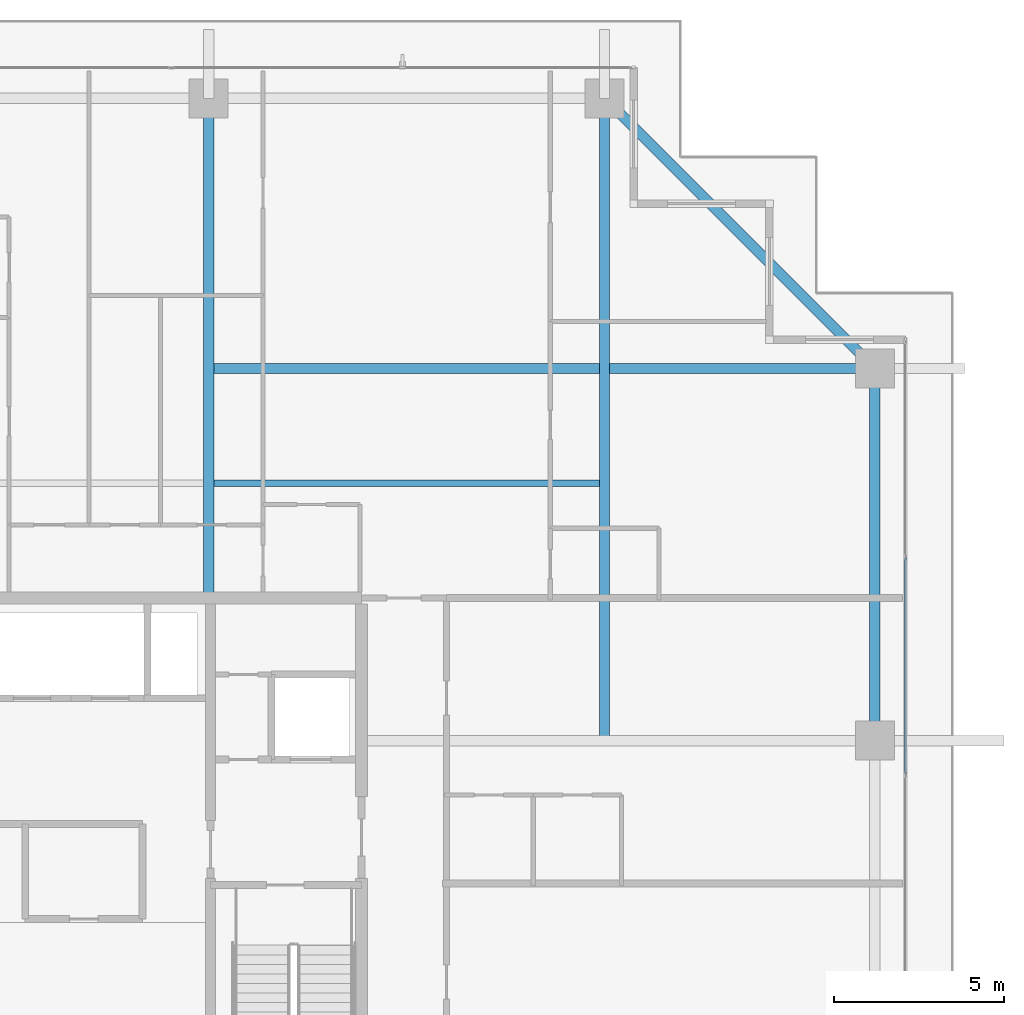
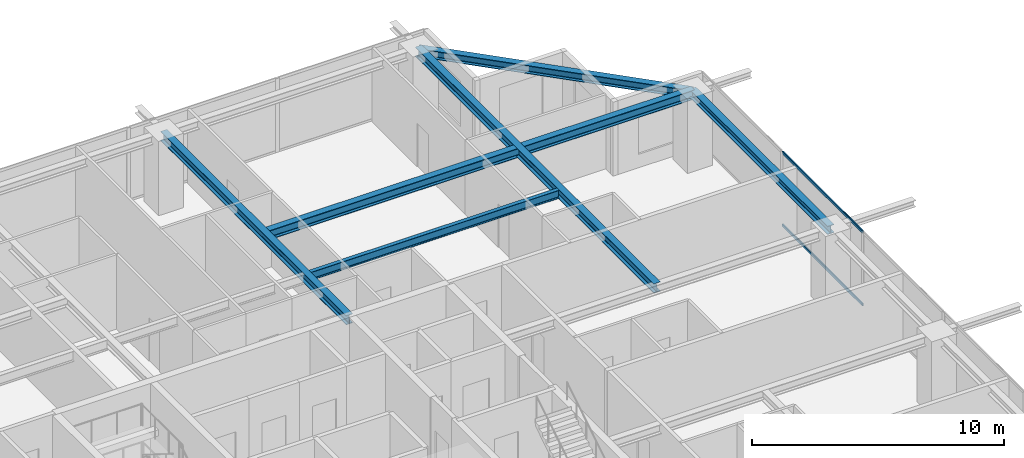
# One storey, part 20 of 38: 6 beams, 2 members, 1 element without a shape of its own.
"""IFC4 building model written with IfcOpenShell, lengths in metres."""

from ifc_helpers import new_model, si_unit, direction, frame, origin, origin_2d, place, context, subcontext, project, spatial, hollow_rectangle, i_section, extrude, source, transform, mapped, material, layer, layer_set, material_profile, profile_set, type_object, element, aggregate, save


model = new_model("IFC4")

# Units and contexts
model_context = context("Model", 3, precision=1e-05, world=origin(), true_north=direction((0.0, 1.0)))
body_context = subcontext(model_context, "Body", "Model", "MODEL_VIEW")
ifc_project = project(units=[si_unit("LENGTHUNIT", "METRE"), si_unit("AREAUNIT", "SQUARE_METRE"), si_unit("VOLUMEUNIT", "CUBIC_METRE"), si_unit("PLANEANGLEUNIT", "RADIAN"), si_unit("MASSUNIT", "GRAM", prefix="KILO")], contexts=[model_context])

# Site, building, storey
site_placement = place(None, origin())
site = spatial("IfcSite", under=ifc_project, at=site_placement, CompositionType="ELEMENT")
building_placement = place(site_placement, origin())
building = spatial("IfcBuilding", under=site, at=building_placement, Name="Serunith Strait Residences", CompositionType="ELEMENT")
storey_placement = place(building_placement, frame((0.0, 0.0, 241.25)))
storey = spatial("IfcBuildingStorey", under=building, at=storey_placement, Name="L60", CompositionType="ELEMENT", Elevation=241.25)

# Beams
ifc_material_1 = material(Name="Steel S355J2", Category="steel")
ifc_material_profile_1 = material_profile(ifc_material_1, i_section(OverallWidth=0.300048828125, OverallDepth=0.449951171875, WebThickness=0.013916015625, FlangeThickness=0.02587890625, FilletRadius=0.027099609375, at=origin_2d()), Name="HEB 450")
ifc_profile_set_1 = profile_set([ifc_material_profile_1], Name="Steel S355J2")
beam_type_1 = type_object("IfcBeamType", Name="BM-HEB450", PredefinedType="BEAM", material=ifc_profile_set_1)
shared_shape_1 = source(origin(), body_context, "Body", "SweptSolid", [
    extrude(i_section(OverallWidth=0.300048828125, OverallDepth=0.449951171875, WebThickness=0.013916015625, FlangeThickness=0.02587890625, FilletRadius=0.027099609375, at=origin_2d()), origin(), (0.0, 0.0, 1.0), 14.699951171875),
])
beam_1_placement = place(storey_placement, frame((36.89990234375, 33.60009765625, 3.362060546875), z_axis=(0.0, 1.0, 0.0), x_axis=(-1.0, 0.0, 0.0)))
element("IfcBeam", 1, at=beam_1_placement, inside=storey, type_object=beam_type_1, Name="L60 Primary Floor Girder TC-N3", PredefinedType="BEAM", context=body_context, shape_type="MappedRepresentation", body=[
    mapped(shared_shape_1, transform((0.0, 0.0, 0.0), scale=1.0)),
])
shared_shape_2 = source(origin(), body_context, "Body", "SweptSolid", [
    extrude(i_section(OverallWidth=0.300048828125, OverallDepth=0.449951171875, WebThickness=0.013916015625, FlangeThickness=0.02587890625, FilletRadius=0.027099609375, at=origin_2d()), origin(), (0.0, 0.0, 1.0), 18.900146484375),
])
beam_2_placement = place(storey_placement, frame((48.550048828125, 29.39990234375, 3.362060546875), z_axis=(0.0, 1.0, 0.0), x_axis=(-1.0, 0.0, 0.0)))
element("IfcBeam", 2, at=beam_2_placement, inside=storey, type_object=beam_type_1, Name="L60 Orthogonal Corner Girder TC-N4", PredefinedType="BEAM", context=body_context, shape_type="MappedRepresentation", body=[
    mapped(shared_shape_2, transform((0.0, 0.0, 0.0), scale=1.0)),
])
shared_shape_3 = source(origin(), body_context, "Body", "SweptSolid", [
    extrude(i_section(OverallWidth=0.300048828125, OverallDepth=0.449951171875, WebThickness=0.013916015625, FlangeThickness=0.02587890625, FilletRadius=0.027099609375, at=origin_2d()), origin(), (0.0, 0.0, 1.0), 19.60009765625),
])
beam_3_placement = place(storey_placement, frame((36.89990234375, 40.35009765625, 3.362060546875), z_axis=(1.0, 0.0, 0.0), x_axis=(0.0, 1.0, 0.0)))
element("IfcBeam", 3, at=beam_3_placement, inside=storey, type_object=beam_type_1, Name="L60 Orthogonal Corner Girder TC-E4", PredefinedType="BEAM", context=body_context, shape_type="MappedRepresentation", body=[
    mapped(shared_shape_3, transform((0.0, 0.0, 0.0), scale=1.0)),
])
ifc_material_profile_2 = material_profile(ifc_material_1, i_section(OverallWidth=0.300048828125, OverallDepth=0.39990234375, WebThickness=0.013427734375, FlangeThickness=0.02392578125, FilletRadius=0.027099609375, at=origin_2d()), Name="HEB 400")
ifc_profile_set_2 = profile_set([ifc_material_profile_2], Name="Steel S355J2")
beam_type_2 = type_object("IfcBeamType", Name="BM-HEB400", PredefinedType="BEAM", material=ifc_profile_set_2)
shared_shape_4 = source(origin(), body_context, "Body", "SweptSolid", [
    extrude(i_section(OverallWidth=0.300048828125, OverallDepth=0.39990234375, WebThickness=0.013427734375, FlangeThickness=0.02392578125, FilletRadius=0.027099609375, at=origin_2d()), origin(), (0.0, 0.0, 1.0), 11.242919921875),
])
beam_4_placement = place(storey_placement, frame((56.5, 40.35009765625, 3.35693359375), z_axis=(-0.707106781187, 0.707106781187, 0.0), x_axis=(-0.707106781187, -0.707106781187, 0.0)))
element("IfcBeam", 4, at=beam_4_placement, inside=storey, type_object=beam_type_2, Name="L60 Perimeter Ring Beam 08", PredefinedType="BEAM", context=body_context, shape_type="MappedRepresentation", body=[
    mapped(shared_shape_4, transform((0.0, 0.0, 0.0), scale=1.0)),
])
shared_shape_5 = source(origin(), body_context, "Body", "SweptSolid", [
    extrude(i_section(OverallWidth=0.300048828125, OverallDepth=0.39990234375, WebThickness=0.013427734375, FlangeThickness=0.02392578125, FilletRadius=0.027099609375, at=origin_2d()), origin(), (0.0, 0.0, 1.0), 10.9501953125),
])
beam_5_placement = place(storey_placement, frame((56.5, 29.39990234375, 3.386962890625), z_axis=(0.0, 1.0, 0.0), x_axis=(-1.0, 0.0, 0.0)))
element("IfcBeam", 5, at=beam_5_placement, inside=storey, type_object=beam_type_2, Name="L60 Perimeter Ring Beam 07", PredefinedType="BEAM", context=body_context, shape_type="MappedRepresentation", body=[
    mapped(shared_shape_5, transform((0.0, 0.0, 0.0), scale=1.0)),
])
ifc_material_profile_3 = material_profile(ifc_material_1, i_section(OverallWidth=0.179931640625, OverallDepth=0.39990234375, WebThickness=0.008544921875, FlangeThickness=0.013427734375, FilletRadius=0.02099609375, at=origin_2d()), Name="IPE 400")
ifc_profile_set_3 = profile_set([ifc_material_profile_3], Name="Steel S355J2")
beam_type_3 = type_object("IfcBeamType", Name="BM-IPE400", PredefinedType="JOIST", material=ifc_profile_set_3)
shared_shape_6 = source(origin(), body_context, "Body", "SweptSolid", [
    extrude(i_section(OverallWidth=0.179931640625, OverallDepth=0.39990234375, WebThickness=0.008544921875, FlangeThickness=0.013427734375, FilletRadius=0.02099609375, at=origin_2d()), origin(), (0.0, 0.0, 1.0), 11.349853515625),
])
beam_6_placement = place(storey_placement, frame((37.050048828125, 36.97509765625, 3.386962890625), z_axis=(1.0, 0.0, 0.0), x_axis=(0.0, 1.0, 0.0)))
element("IfcBeam", 6, at=beam_6_placement, inside=storey, type_object=beam_type_3, Name="L60 Composite Floor Joist 06", PredefinedType="JOIST", context=body_context, shape_type="MappedRepresentation", body=[
    mapped(shared_shape_6, transform((0.0, 0.0, 0.0), scale=1.0)),
])

# Curtain wall, members
ifc_material_2 = material(Name="Pale-Champagne Anodised Aluminium", Category="aluminium")
ifc_layer = layer(ifc_material_2, 0.199951171875, Name="Pale-Champagne Anodised Aluminium")
ifc_layer_set = layer_set([ifc_layer], Name="Pale-Champagne Anodised Aluminium")
curtain_wall_type = type_object("IfcCurtainWallType", Name="CW-SYS4", PredefinedType="NOTDEFINED", material=ifc_layer_set)
curtain_wall_placement = place(storey_placement, origin())
curtain_wall = element("IfcCurtainWall", 7, at=curtain_wall_placement, inside=storey, type_object=curtain_wall_type, Name="L60 E Unitised Fritted Curtain Wall", PredefinedType="NOTDEFINED")
ifc_material_profile_4 = material_profile(ifc_material_2, hollow_rectangle(XDim=0.06005859375, YDim=0.139892578125, WallThickness=0.00341796875, InnerFilletRadius=0.00537109375, OuterFilletRadius=0.0087890625, at=origin_2d()), Name="ALU 140x60x3.5")
ifc_profile_set_4 = profile_set([ifc_material_profile_4], Name="Pale-Champagne Anodised Aluminium")
member_type = type_object("IfcMemberType", Name="CW-SYS4-TRAN", PredefinedType="USERDEFINED", material=ifc_profile_set_4)
shared_shape_7 = source(origin(), body_context, "Body", "SweptSolid", [
    extrude(hollow_rectangle(XDim=0.06005859375, YDim=0.139892578125, WallThickness=0.00341796875, InnerFilletRadius=0.00537109375, OuterFilletRadius=0.0087890625, at=origin_2d()), origin(), (0.0, 0.0, 1.0), 6.3349609375),
])
member_1_placement = place(storey_placement, frame((57.39990234375, 28.4326171875, 0.030029296875), z_axis=(0.0, 1.0, 0.0), x_axis=(-1.0, 0.0, 0.0)))
member_1 = element("IfcMember", 8, at=member_1_placement, type_object=member_type, Name="CW-4 transom 4.1", ObjectType="TRANSOM", PredefinedType="USERDEFINED", context=body_context, shape_type="MappedRepresentation", body=[
    mapped(shared_shape_7, transform((0.0, 0.0, 0.0), scale=1.0)),
])
member_2_placement = place(storey_placement, frame((57.39990234375, 28.4326171875, 3.544921875), z_axis=(0.0, 1.0, 0.0), x_axis=(-1.0, 0.0, 0.0)))
member_2 = element("IfcMember", 9, at=member_2_placement, type_object=member_type, Name="CW-4 transom 4.2", ObjectType="TRANSOM", PredefinedType="USERDEFINED", context=body_context, shape_type="MappedRepresentation", body=[
    mapped(shared_shape_7, transform((0.0, 0.0, 0.0), scale=1.0)),
])
aggregate(curtain_wall, [member_1, member_2])

save(model, "model.ifc")
